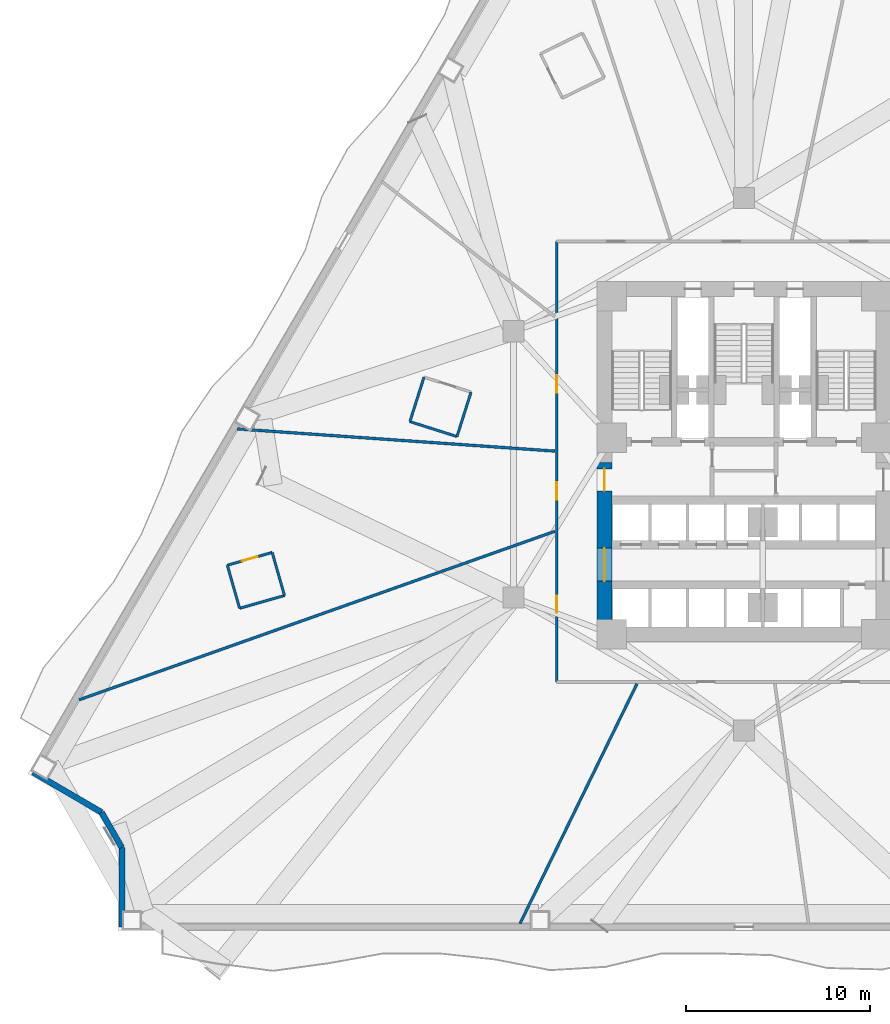
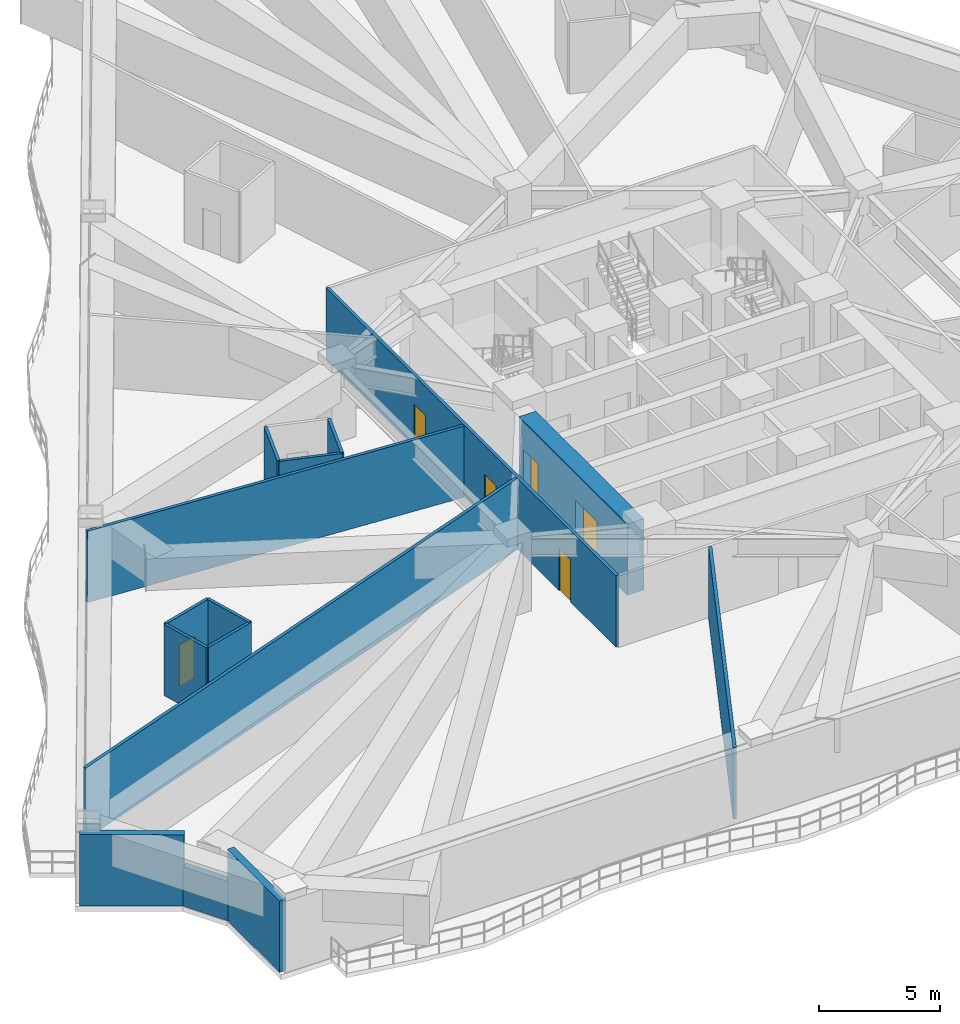
# One storey, part 7 of 16: 15 walls, 6 doors, 6 openings.
"""IFC4 building model written with IfcOpenShell, lengths in metres."""

from ifc_helpers import new_model, si_unit, direction, frame, frame_2d, origin, place, context, subcontext, project, spatial, rectangle, extrude, material, layer, layer_set, type_object, element, fill, save


model = new_model("IFC4")

# Units and contexts
model_context = context("Model", 3, precision=1e-05, world=origin(), true_north=direction((0.0, 1.0)))
body_context = subcontext(model_context, "Body", "Model", "MODEL_VIEW")
ifc_project = project(units=[si_unit("LENGTHUNIT", "METRE"), si_unit("AREAUNIT", "SQUARE_METRE"), si_unit("VOLUMEUNIT", "CUBIC_METRE"), si_unit("PLANEANGLEUNIT", "RADIAN"), si_unit("MASSUNIT", "GRAM", prefix="KILO")], contexts=[model_context])

# Site, building, storey
site_placement = place(None, origin())
site = spatial("IfcSite", under=ifc_project, at=site_placement, CompositionType="ELEMENT")
building_placement = place(site_placement, origin())
building = spatial("IfcBuilding", under=site, at=building_placement, Name="Apsidion Concourse Tower", CompositionType="ELEMENT")
storey_placement = place(building_placement, frame((0.0, 0.0, 58.39990234375)))
storey = spatial("IfcBuildingStorey", under=building, at=storey_placement, Name="L12", CompositionType="ELEMENT", Elevation=58.39990234375)

# Walls
ifc_material_1 = material(Name="Precast concrete C40/50", Category="concrete")
ifc_layer_1 = layer(ifc_material_1, 0.320068359375)
ifc_layer_set_1 = layer_set([ifc_layer_1], Name="Precast concrete C40/50")
wall_type_1 = type_object("IfcWallType", Name="WL-EXT-320", PredefinedType="STANDARD", material=ifc_layer_set_1)
wall_1_placement = place(storey_placement, frame((-33.88818359375, -25.199951171875, 0.0), z_axis=(0.0, 0.0, 1.0), x_axis=(0.0, 1.0, 0.0)))
element("IfcWall", 1, at=wall_1_placement, inside=storey, type_object=wall_type_1, Name="L12 Precast Stone Facade Wall 06", PredefinedType="STANDARD", context=body_context, shape_type="SweptSolid", body=[
    extrude(rectangle(XDim=4.32373046875, YDim=0.320068359375, at=frame_2d((2.161865234375, 0.0))), origin(), (0.0, 0.0, 1.0), 3.60009765625),
])
wall_2_placement = place(storey_placement, frame((-33.88818359375, -20.876220703125, 0.0), z_axis=(0.0, 0.0, 1.0), x_axis=(-0.497881323344, 0.867245171717, 0.0)))
element("IfcWall", 2, at=wall_2_placement, inside=storey, type_object=wall_type_1, Name="L12 Precast Stone Facade Wall 07", PredefinedType="STANDARD", context=body_context, shape_type="SweptSolid", body=[
    extrude(rectangle(XDim=2.216796875, YDim=0.320068359375, at=frame_2d((1.1083984375, 0.0))), origin(), (0.0, 0.0, 1.0), 1.97998046875),
])
wall_3_placement = place(storey_placement, frame((-34.991943359375, -18.95361328125, 0.0), z_axis=(0.0, 0.0, 1.0), x_axis=(-0.863569936823, 0.504229079105, 0.0)))
element("IfcWall", 3, at=wall_3_placement, inside=storey, type_object=wall_type_1, Name="L12 Precast Stone Facade Wall 08", PredefinedType="STANDARD", context=body_context, shape_type="SweptSolid", body=[
    extrude(rectangle(XDim=4.32373046875, YDim=0.320068359375, at=frame_2d((2.161865234375, 0.0))), origin(), (0.0, 0.0, 1.0), 3.60009765625),
])

# Wall, opening, door
ifc_material_2 = material(Name="Gypsum plasterboard partition")
ifc_layer_2 = layer(ifc_material_2, 0.139892578125)
ifc_layer_set_2 = layer_set([ifc_layer_2], Name="Gypsum plasterboard partition")
wall_type_2 = type_object("IfcWallType", Name="WL-INT-PAR-140", PredefinedType="PARTITIONING", material=ifc_layer_set_2)
wall_4_placement = place(storey_placement, frame((-25.69873046875, -4.798828125, 0.0), z_axis=(0.0, 0.0, 1.0), x_axis=(-0.961748503435, -0.273933963101, 0.0)))
wall_4 = element("IfcWall", 4, at=wall_4_placement, inside=storey, type_object=wall_type_2, Name="L12 Interior Partition WL-L12-POD-HKAWC-S1", PredefinedType="PARTITIONING", context=body_context, shape_type="SweptSolid", body=[
    extrude(rectangle(XDim=2.5400390625, YDim=0.139892578125, at=frame_2d((1.27001953125, 0.0))), origin(), (0.0, 0.0, 1.0), 3.60009765625),
])
opening_1_placement = place(wall_4_placement, frame((0.830078125, 0.0, 0.0)))
opening_1 = element("IfcOpeningElement", 5, at=opening_1_placement, cuts=wall_4, Name="Opening D-03L", PredefinedType="OPENING", context=body_context, shape_type="SweptSolid", body=[
    extrude(rectangle(XDim=0.8798828125, YDim=2.10009765625, at=frame_2d((0.43994140625, 1.050048828125))), frame((0.0, 0.080078125, 0.0), z_axis=(0.0, -1.0, 0.0), x_axis=(1.0, 0.0, 0.0)), (0.0, 0.0, 1.0), 0.159912109375),
])
ifc_material_3 = material(Name="Anodised aluminium EN AW-6063 T6", Category="aluminium")
door_type_1 = type_object("IfcDoorType", Name="DR-INT-D03L", OperationType="SINGLE_SWING_LEFT", PredefinedType="DOOR", material=ifc_material_3)
door_1_placement = place(opening_1_placement, origin())
door_1 = element("IfcDoor", 6, at=door_1_placement, inside=storey, type_object=door_type_1, Name="L12 Hotel Accessible WC Door HKAWC", OperationType="SINGLE_SWING_LEFT", OverallHeight=2.10009765625, OverallWidth=0.8798828125, PredefinedType="DOOR", context=body_context, shape_type="SweptSolid", body=[
    extrude(rectangle(XDim=0.8798828125, YDim=2.10009765625, at=frame_2d((0.43994140625, 1.050048828125))), frame((0.0, 0.02490234375, 0.0), z_axis=(0.0, -1.0, 0.0), x_axis=(1.0, 0.0, 0.0)), (0.0, 0.0, 1.0), 0.050048828125),
])
fill(opening_1, door_1)

# Walls
wall_5_placement = place(storey_placement, frame((-28.1416015625, -5.49462890625, 0.0), z_axis=(0.0, 0.0, 1.0), x_axis=(0.273954570421, -0.961742633632, 0.0)))
element("IfcWall", 7, at=wall_5_placement, inside=storey, type_object=wall_type_2, Name="L12 Interior Partition WL-L12-POD-HKAWC-S2", PredefinedType="PARTITIONING", context=body_context, shape_type="SweptSolid", body=[
    extrude(rectangle(XDim=2.43994140625, YDim=0.139892578125, at=frame_2d((1.219970703125, 0.0))), origin(), (0.0, 0.0, 1.0), 3.60009765625),
])
wall_6_placement = place(storey_placement, frame((-27.47314453125, -7.84130859375, 0.0), z_axis=(0.0, 0.0, 1.0), x_axis=(0.961748503435, 0.273933963101, 0.0)))
element("IfcWall", 8, at=wall_6_placement, inside=storey, type_object=wall_type_2, Name="L12 Interior Partition WL-L12-POD-HKAWC-S3", PredefinedType="PARTITIONING", context=body_context, shape_type="SweptSolid", body=[
    extrude(rectangle(XDim=2.5400390625, YDim=0.139892578125, at=frame_2d((1.27001953125, 0.0))), origin(), (0.0, 0.0, 1.0), 3.60009765625),
])
wall_7_placement = place(storey_placement, frame((-25.0302734375, -7.1455078125, 0.0), z_axis=(0.0, 0.0, 1.0), x_axis=(-0.273954570421, 0.961742633632, 0.0)))
element("IfcWall", 9, at=wall_7_placement, inside=storey, type_object=wall_type_2, Name="L12 Interior Partition WL-L12-POD-HKAWC-S4", PredefinedType="PARTITIONING", context=body_context, shape_type="SweptSolid", body=[
    extrude(rectangle(XDim=2.43994140625, YDim=0.139892578125, at=frame_2d((1.219970703125, 0.0))), origin(), (0.0, 0.0, 1.0), 3.60009765625),
])
wall_8_placement = place(storey_placement, frame((-17.429931640625, 4.749267578125, 0.0), z_axis=(0.0, 0.0, 1.0), x_axis=(-0.302382317173, -0.953186725811, 0.0)))
element("IfcWall", 10, at=wall_8_placement, inside=storey, type_object=wall_type_2, Name="L12 Interior Partition WL-L12-POD-ENS10-S2", PredefinedType="PARTITIONING", context=body_context, shape_type="SweptSolid", body=[
    extrude(rectangle(XDim=2.5400390625, YDim=0.139892578125, at=frame_2d((1.27001953125, 0.0))), origin(), (0.0, 0.0, 1.0), 3.60009765625),
])
wall_9_placement = place(storey_placement, frame((-18.197998046875, 2.328125, 0.0), z_axis=(0.0, 0.0, 1.0), x_axis=(0.953175772707, -0.302416841998, 0.0)))
element("IfcWall", 11, at=wall_9_placement, inside=storey, type_object=wall_type_2, Name="L12 Interior Partition WL-L12-POD-ENS10-S3", PredefinedType="PARTITIONING", context=body_context, shape_type="SweptSolid", body=[
    extrude(rectangle(XDim=2.68994140625, YDim=0.139892578125, at=frame_2d((1.344970703125, 0.0))), origin(), (0.0, 0.0, 1.0), 3.60009765625),
])
wall_10_placement = place(storey_placement, frame((-15.634033203125, 1.5146484375, 0.0), z_axis=(0.0, 0.0, 1.0), x_axis=(0.302382317173, 0.953186725811, 0.0)))
element("IfcWall", 12, at=wall_10_placement, inside=storey, type_object=wall_type_2, Name="L12 Interior Partition WL-L12-POD-ENS10-S4", PredefinedType="PARTITIONING", context=body_context, shape_type="SweptSolid", body=[
    extrude(rectangle(XDim=2.5400390625, YDim=0.139892578125, at=frame_2d((1.27001953125, 0.0))), origin(), (0.0, 0.0, 1.0), 3.60009765625),
])

# Wall, openings, doors
ifc_layer_3 = layer(ifc_material_2, 0.14990234375)
ifc_layer_set_3 = layer_set([ifc_layer_3], Name="Gypsum plasterboard partition")
wall_type_3 = type_object("IfcWallType", Name="WL-INT-PAR-150", PredefinedType="PARTITIONING", material=ifc_layer_set_3)
wall_11_placement = place(storey_placement, frame((-10.199951171875, -11.85009765625, 0.0), z_axis=(0.0, 0.0, 1.0), x_axis=(0.0, 1.0, 0.0)))
wall_11 = element("IfcWall", 13, at=wall_11_placement, inside=storey, type_object=wall_type_3, Name="L12 Interior Partition WL-L12-CORR-04", PredefinedType="PARTITIONING", context=body_context, shape_type="SweptSolid", body=[
    extrude(rectangle(XDim=24.0, YDim=0.14990234375, at=frame_2d((12.0, 0.0))), origin(), (0.0, 0.0, 1.0), 3.60009765625),
])
opening_2_placement = place(wall_11_placement, frame((9.91455078125, 0.0, 0.0)))
opening_2 = element("IfcOpeningElement", 14, at=opening_2_placement, cuts=wall_11, Name="Opening D-01L", PredefinedType="OPENING", context=body_context, shape_type="SweptSolid", body=[
    extrude(rectangle(XDim=0.949951171875, YDim=2.14990234375, at=frame_2d((0.47509765625, 1.074951171875))), frame((0.0, 0.0849609375, 0.0), z_axis=(0.0, -1.0, 0.0), x_axis=(1.0, 0.0, 0.0)), (0.0, 0.0, 1.0), 0.169921875),
])
opening_3_placement = place(wall_11_placement, frame((3.75390625, 0.0, 0.0)))
opening_3 = element("IfcOpeningElement", 15, at=opening_3_placement, cuts=wall_11, Name="Opening D-01R", PredefinedType="OPENING", context=body_context, shape_type="SweptSolid", body=[
    extrude(rectangle(XDim=0.949951171875, YDim=2.14990234375, at=frame_2d((0.47509765625, 1.074951171875))), frame((0.0, 0.0849609375, 0.0), z_axis=(0.0, -1.0, 0.0), x_axis=(1.0, 0.0, 0.0)), (0.0, 0.0, 1.0), 0.169921875),
])
opening_4_placement = place(wall_11_placement, frame((15.758544921875, 0.0, 0.0)))
opening_4 = element("IfcOpeningElement", 16, at=opening_4_placement, cuts=wall_11, Name="Opening D-01L", PredefinedType="OPENING", context=body_context, shape_type="SweptSolid", body=[
    extrude(rectangle(XDim=0.949951171875, YDim=2.14990234375, at=frame_2d((0.47509765625, 1.074951171875))), frame((0.0, 0.0849609375, 0.0), z_axis=(0.0, -1.0, 0.0), x_axis=(1.0, 0.0, 0.0)), (0.0, 0.0, 1.0), 0.169921875),
])
ifc_material_4 = material(Name="Brushed stainless steel 316", Category="steel")
door_type_2 = type_object("IfcDoorType", Name="DR-INT-D01L", OperationType="SINGLE_SWING_LEFT", PredefinedType="DOOR", material=ifc_material_4)
door_2_placement = place(opening_2_placement, origin())
door_2 = element("IfcDoor", 17, at=door_2_placement, inside=storey, type_object=door_type_2, Name="L12 Corridor Entry Door 01", OperationType="SINGLE_SWING_LEFT", OverallHeight=2.14990234375, OverallWidth=0.949951171875, PredefinedType="DOOR", context=body_context, shape_type="SweptSolid", body=[
    extrude(rectangle(XDim=0.949951171875, YDim=2.14990234375, at=frame_2d((0.47509765625, 1.074951171875))), frame((0.0, 0.02490234375, 0.0), z_axis=(0.0, -1.0, 0.0), x_axis=(1.0, 0.0, 0.0)), (0.0, 0.0, 1.0), 0.050048828125),
])
fill(opening_2, door_2)
door_3_placement = place(opening_4_placement, origin())
door_3 = element("IfcDoor", 18, at=door_3_placement, inside=storey, type_object=door_type_2, Name="L12 Corridor Entry Door 11", OperationType="SINGLE_SWING_LEFT", OverallHeight=2.14990234375, OverallWidth=0.949951171875, PredefinedType="DOOR", context=body_context, shape_type="SweptSolid", body=[
    extrude(rectangle(XDim=0.949951171875, YDim=2.14990234375, at=frame_2d((0.47509765625, 1.074951171875))), frame((0.0, 0.02490234375, 0.0), z_axis=(0.0, -1.0, 0.0), x_axis=(1.0, 0.0, 0.0)), (0.0, 0.0, 1.0), 0.050048828125),
])
fill(opening_4, door_3)
door_type_3 = type_object("IfcDoorType", Name="DR-INT-D01R", OperationType="SINGLE_SWING_RIGHT", PredefinedType="DOOR", material=ifc_material_4)
door_4_placement = place(opening_3_placement, origin())
door_4 = element("IfcDoor", 19, at=door_4_placement, inside=storey, type_object=door_type_3, Name="L12 Corridor Entry Door 02", OperationType="SINGLE_SWING_RIGHT", OverallHeight=2.14990234375, OverallWidth=0.949951171875, PredefinedType="DOOR", context=body_context, shape_type="SweptSolid", body=[
    extrude(rectangle(XDim=0.949951171875, YDim=2.14990234375, at=frame_2d((0.47509765625, 1.074951171875))), frame((0.0, 0.02490234375, 0.0), z_axis=(0.0, -1.0, 0.0), x_axis=(1.0, 0.0, 0.0)), (0.0, 0.0, 1.0), 0.050048828125),
])
fill(opening_3, door_4)

# Walls
wall_12_placement = place(storey_placement, frame((-10.304931640625, 0.720703125, 0.0), z_axis=(0.0, 0.0, 1.0), x_axis=(-0.997564495515, 0.069750106007, 0.0)))
element("IfcWall", 20, at=wall_12_placement, inside=storey, type_object=wall_type_3, Name="L12 Interior Partition WL-L12-RAD-06-1", PredefinedType="PARTITIONING", context=body_context, shape_type="SweptSolid", body=[
    extrude(rectangle(XDim=17.340087890625, YDim=0.14990234375, at=frame_2d((8.669921875, 0.0))), origin(), (0.0, 0.0, 1.0), 3.60009765625),
])
wall_13_placement = place(storey_placement, frame((-10.304931640625, -3.649169921875, 0.0), z_axis=(0.0, 0.0, 1.0), x_axis=(-0.942641897105, -0.333805712687, 0.0)))
element("IfcWall", 21, at=wall_13_placement, inside=storey, type_object=wall_type_3, Name="L12 Interior Partition WL-L12-RAD-07-1", PredefinedType="PARTITIONING", context=body_context, shape_type="SweptSolid", body=[
    extrude(rectangle(XDim=27.48974609375, YDim=0.14990234375, at=frame_2d((13.744873046875, 0.0))), origin(), (0.0, 0.0, 1.0), 3.60009765625),
])
wall_14_placement = place(storey_placement, frame((-5.830810546875, -11.955078125, 0.0), z_axis=(0.0, 0.0, 1.0), x_axis=(-0.438380960837, -0.898789259602, 0.0)))
element("IfcWall", 22, at=wall_14_placement, inside=storey, type_object=wall_type_3, Name="L12 Interior Partition WL-L12-RAD-08-1", PredefinedType="PARTITIONING", context=body_context, shape_type="SweptSolid", body=[
    extrude(rectangle(XDim=14.54150390625, YDim=0.14990234375, at=frame_2d((7.270751953125, 0.0))), origin(), (0.0, 0.0, 1.0), 3.60009765625),
])

# Wall, openings, doors
ifc_material_5 = material(Name="Concrete C60/75", Category="concrete")
ifc_layer_4 = layer(ifc_material_5, 0.800048828125)
ifc_layer_set_4 = layer_set([ifc_layer_4], Name="Concrete C60/75")
wall_type_4 = type_object("IfcWallType", Name="WL-SH-800", PredefinedType="SHEAR", material=ifc_layer_set_4)
wall_15_placement = place(storey_placement, frame((-7.60009765625, -8.85009765625, 0.0), z_axis=(0.0, 0.0, 1.0), x_axis=(0.0, 1.0, 0.0)))
wall_15 = element("IfcWall", 23, at=wall_15_placement, inside=storey, type_object=wall_type_4, Name="L12 Central Core Shear Wall WS", PredefinedType="SHEAR", context=body_context, shape_type="SweptSolid", body=[
    extrude(rectangle(XDim=8.9501953125, YDim=0.800048828125, at=frame_2d((4.47509765625, 0.0))), origin(), (0.0, 0.0, 1.0), 3.60009765625),
])
opening_5_placement = place(wall_15_placement, frame((2.489990234375, 0.0, 0.0)))
opening_5 = element("IfcOpeningElement", 24, at=opening_5_placement, cuts=wall_15, Name="Opening D-06D", PredefinedType="OPENING", context=body_context, shape_type="SweptSolid", body=[
    extrude(rectangle(XDim=1.800048828125, YDim=2.199951171875, at=frame_2d((0.89990234375, 1.10009765625))), frame((0.0, 0.41015625, 0.0), z_axis=(0.0, -1.0, 0.0), x_axis=(1.0, 0.0, 0.0)), (0.0, 0.0, 1.0), 0.820068359375),
])
opening_6_placement = place(wall_15_placement, frame((7.39990234375, 0.0, 0.0)))
opening_6 = element("IfcOpeningElement", 25, at=opening_6_placement, cuts=wall_15, Name="Opening D-FFL", PredefinedType="OPENING", context=body_context, shape_type="SweptSolid", body=[
    extrude(rectangle(XDim=1.199951171875, YDim=2.14990234375, at=frame_2d((0.60009765625, 1.074951171875))), frame((0.0, 0.41015625, 0.0), z_axis=(0.0, -1.0, 0.0), x_axis=(1.0, 0.0, 0.0)), (0.0, 0.0, 1.0), 0.820068359375),
])
door_type_4 = type_object("IfcDoorType", Name="DR-INT-D06D", OperationType="DOUBLE_DOOR_SINGLE_SWING", PredefinedType="DOOR", material=ifc_material_4)
door_5_placement = place(opening_5_placement, origin())
door_5 = element("IfcDoor", 26, at=door_5_placement, inside=storey, type_object=door_type_4, Name="L12 Passenger Lift Lobby WS Portal Door", OperationType="DOUBLE_DOOR_SINGLE_SWING", OverallHeight=2.199951171875, OverallWidth=1.800048828125, PredefinedType="DOOR", context=body_context, shape_type="SweptSolid", body=[
    extrude(rectangle(XDim=1.800048828125, YDim=2.199951171875, at=frame_2d((0.89990234375, 1.10009765625))), frame((0.0, 0.02490234375, 0.0), z_axis=(0.0, -1.0, 0.0), x_axis=(1.0, 0.0, 0.0)), (0.0, 0.0, 1.0), 0.050048828125),
])
fill(opening_5, door_5)
door_type_5 = type_object("IfcDoorType", Name="DR-INT-FFL", OperationType="SINGLE_SWING_LEFT", PredefinedType="DOOR", material=ifc_material_4)
door_6_placement = place(opening_6_placement, origin())
door_6 = element("IfcDoor", 27, at=door_6_placement, inside=storey, type_object=door_type_5, Name="L12 Firefighting Lift Lobby FF1 Door", OperationType="SINGLE_SWING_LEFT", OverallHeight=2.14990234375, OverallWidth=1.199951171875, PredefinedType="DOOR", context=body_context, shape_type="SweptSolid", body=[
    extrude(rectangle(XDim=1.199951171875, YDim=2.14990234375, at=frame_2d((0.60009765625, 1.074951171875))), frame((0.0, 0.02490234375, 0.0), z_axis=(0.0, -1.0, 0.0), x_axis=(1.0, 0.0, 0.0)), (0.0, 0.0, 1.0), 0.050048828125),
])
fill(opening_6, door_6)

save(model, "model.ifc")
